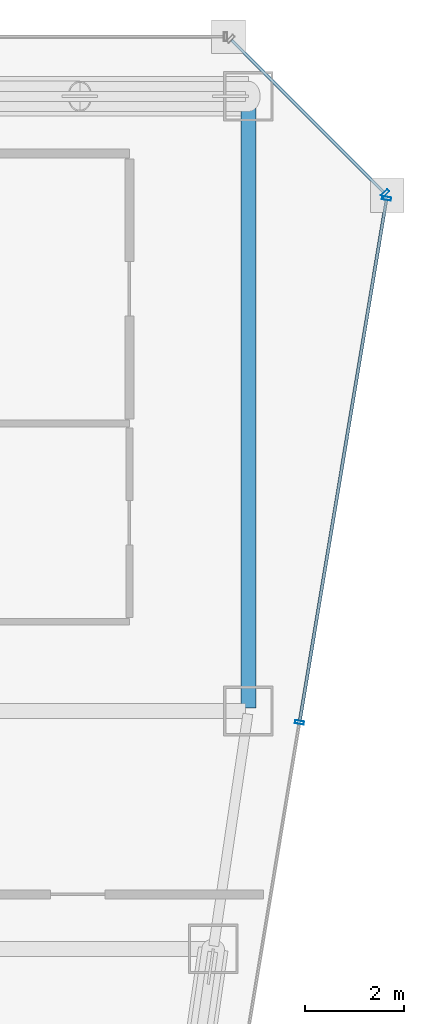
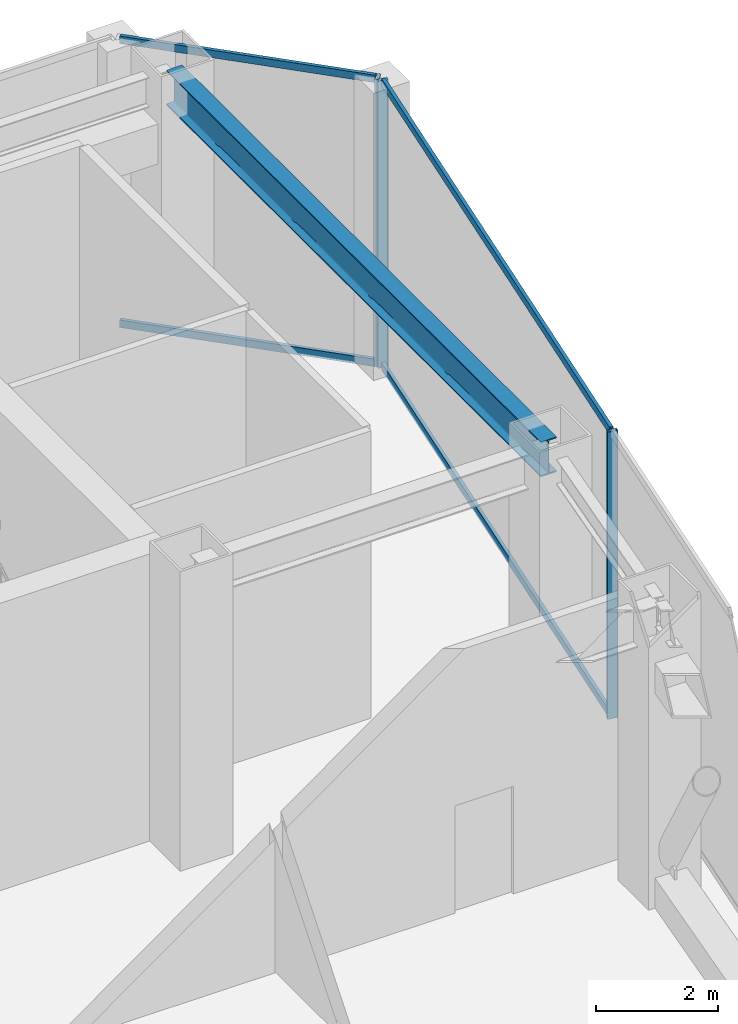
# One storey, part 22 of 30: 7 members, 1 beam, 2 elements without a shape of their own.
"""IFC4 building model written with IfcOpenShell, lengths in metres."""

from ifc_helpers import new_model, si_unit, direction, frame, origin, origin_2d, place, context, subcontext, project, spatial, hollow_rectangle, i_section, extrude, material, material_profile, profile_set, type_object, element, aggregate, save


model = new_model("IFC4")

# Units and contexts
model_context = context("Model", 3, precision=1e-05, world=origin(), true_north=direction((0.0, 1.0)))
body_context = subcontext(model_context, "Body", "Model", "MODEL_VIEW")
ifc_project = project(units=[si_unit("LENGTHUNIT", "METRE"), si_unit("AREAUNIT", "SQUARE_METRE"), si_unit("VOLUMEUNIT", "CUBIC_METRE"), si_unit("PLANEANGLEUNIT", "RADIAN"), si_unit("MASSUNIT", "GRAM", prefix="KILO")], contexts=[model_context])

# Site, building, storey
site_placement = place(None, origin())
site = spatial("IfcSite", under=ifc_project, at=site_placement, CompositionType="ELEMENT")
building_placement = place(site_placement, origin())
building = spatial("IfcBuilding", under=site, at=building_placement, Name="Saevonmaru Cultural Tower", CompositionType="ELEMENT")
storey_placement = place(building_placement, frame((0.0, 0.0, 123.60009765625)))
storey = spatial("IfcBuildingStorey", under=building, at=storey_placement, Name="L26", CompositionType="ELEMENT", Elevation=123.60009765625)

# Beam
ifc_material_1 = material(Name="Steel SM355", Category="steel")
ifc_material_profile_1 = material_profile(ifc_material_1, i_section(OverallWidth=0.300048828125, OverallDepth=0.699951171875, WebThickness=0.012939453125, FlangeThickness=0.02392578125, FilletRadius=0.02587890625, at=origin_2d()), Name="H-700x300x13x24")
ifc_profile_set_1 = profile_set([ifc_material_profile_1], Name="Steel SM355")
beam_type = type_object("IfcBeamType", Name="BM-G-H700", PredefinedType="BEAM", material=ifc_profile_set_1)
beam_placement = place(storey_placement, frame((53.199951171875, 54.739990234375, 5.39990234375), z_axis=(0.0, -1.0, 0.0), x_axis=(1.0, 0.0, 0.0)))
element("IfcBeam", 1, at=beam_placement, inside=storey, type_object=beam_type, Name="L26 Spine Transverse Girder E", PredefinedType="BEAM", context=body_context, shape_type="SweptSolid", body=[
    extrude(i_section(OverallWidth=0.300048828125, OverallDepth=0.699951171875, WebThickness=0.012939453125, FlangeThickness=0.02392578125, FilletRadius=0.02587890625, at=origin_2d()), origin(), (0.0, 0.0, 1.0), 12.280029296875),
])

# Curtain wall, members
ifc_material_2 = material(Name="Satin Bronze Anodised Aluminium", Category="aluminium")
curtain_wall_type = type_object("IfcCurtainWallType", Name="CW-TYP-A", PredefinedType="NOTDEFINED", material=ifc_material_2)
curtain_wall_1_placement = place(storey_placement, origin())
curtain_wall_1 = element("IfcCurtainWall", 2, at=curtain_wall_1_placement, inside=storey, type_object=curtain_wall_type, Name="L26 Wind-Floor Acoustic Louvre Screen E8", PredefinedType="NOTDEFINED")
ifc_material_profile_2 = material_profile(ifc_material_2, hollow_rectangle(XDim=0.06494140625, YDim=0.179931640625, WallThickness=0.00390625, at=origin_2d()), Name="ALU-MULL-180x65x4")
ifc_profile_set_2 = profile_set([ifc_material_profile_2], Name="Satin Bronze Anodised Aluminium")
member_type_1 = type_object("IfcMemberType", Name="ML-CW-180x65", PredefinedType="MULLION", material=ifc_profile_set_2)
member_1_placement = place(storey_placement, frame((54.23291015625, 42.17041015625, 0.0), z_axis=(0.0, 0.0, 1.0), x_axis=(0.163998702345, 0.986460554523, 0.0)))
member_1 = element("IfcMember", 3, at=member_1_placement, type_object=member_type_1, Name="CW-TW-L26-E8 mullion 4", PredefinedType="MULLION", context=body_context, shape_type="SweptSolid", body=[
    extrude(hollow_rectangle(XDim=0.06494140625, YDim=0.179931640625, WallThickness=0.00390625, at=origin_2d()), origin(), (0.0, 0.0, 1.0), 5.75),
])
member_2_placement = place(storey_placement, frame((55.990234375, 52.74072265625, 0.0), z_axis=(0.0, 0.0, 1.0), x_axis=(0.163998702345, 0.986460554523, 0.0)))
member_2 = element("IfcMember", 4, at=member_2_placement, type_object=member_type_1, Name="CW-TW-L26-E8 mullion 5", PredefinedType="MULLION", context=body_context, shape_type="SweptSolid", body=[
    extrude(hollow_rectangle(XDim=0.06494140625, YDim=0.179931640625, WallThickness=0.00390625, at=origin_2d()), origin(), (0.0, 0.0, 1.0), 5.75),
])

# Curtain wall, member
curtain_wall_2_placement = place(storey_placement, origin())
curtain_wall_2 = element("IfcCurtainWall", 5, at=curtain_wall_2_placement, inside=storey, type_object=curtain_wall_type, Name="L26 Wind-Floor Acoustic Louvre Screen E9", PredefinedType="NOTDEFINED")
member_3_placement = place(storey_placement, frame((55.95751953125, 52.84228515625, 0.0), z_axis=(0.0, 0.0, 1.0), x_axis=(-0.707106781187, 0.707106781187, 0.0)))
member_3 = element("IfcMember", 6, at=member_3_placement, type_object=member_type_1, Name="CW-TW-L26-E9 mullion 1", PredefinedType="MULLION", context=body_context, shape_type="SweptSolid", body=[
    extrude(hollow_rectangle(XDim=0.06494140625, YDim=0.179931640625, WallThickness=0.00390625, at=origin_2d()), origin(), (0.0, 0.0, 1.0), 5.75),
])

# Member
ifc_material_profile_3 = material_profile(ifc_material_2, hollow_rectangle(XDim=0.06494140625, YDim=0.14990234375, WallThickness=0.00390625, at=origin_2d()), Name="ALU-TRAN-150x65x4")
ifc_profile_set_3 = profile_set([ifc_material_profile_3], Name="Satin Bronze Anodised Aluminium")
member_type_2 = type_object("IfcMemberType", Name="TR-CW-150x65", PredefinedType="USERDEFINED", material=ifc_profile_set_3)
member_4_placement = place(storey_placement, frame((54.23828125, 42.202392578125, 0.032470703125), z_axis=(0.163990079074, 0.9864619881, 0.0), x_axis=(-0.9864619881, 0.163990079074, 0.0)))
member_4 = element("IfcMember", 7, at=member_4_placement, type_object=member_type_2, Name="CW-TW-L26-E8 transom 4.1", ObjectType="TRANSOM", PredefinedType="USERDEFINED", context=body_context, shape_type="SweptSolid", body=[
    extrude(hollow_rectangle(XDim=0.06494140625, YDim=0.14990234375, WallThickness=0.00390625, at=origin_2d()), origin(), (0.0, 0.0, 1.0), 10.650634765625),
])

member_5_placement = place(storey_placement, frame((54.23828125, 42.202392578125, 5.71728515625), z_axis=(0.163990079074, 0.9864619881, 0.0), x_axis=(-0.9864619881, 0.163990079074, 0.0)))
member_5 = element("IfcMember", 8, at=member_5_placement, type_object=member_type_2, Name="CW-TW-L26-E8 transom 4.2", ObjectType="TRANSOM", PredefinedType="USERDEFINED", context=body_context, shape_type="SweptSolid", body=[
    extrude(hollow_rectangle(XDim=0.06494140625, YDim=0.14990234375, WallThickness=0.00390625, at=origin_2d()), origin(), (0.0, 0.0, 1.0), 10.650634765625),
])

aggregate(curtain_wall_1, [member_1, member_2, member_4, member_5])

member_6_placement = place(storey_placement, frame((55.9345703125, 52.865478515625, 0.032470703125), z_axis=(-0.707106781187, 0.707106781187, 0.0), x_axis=(-0.707106781187, -0.707106781187, 0.0)))
member_6 = element("IfcMember", 9, at=member_6_placement, type_object=member_type_2, Name="CW-TW-L26-E9 transom 1.1", ObjectType="TRANSOM", PredefinedType="USERDEFINED", context=body_context, shape_type="SweptSolid", body=[
    extrude(hollow_rectangle(XDim=0.06494140625, YDim=0.14990234375, WallThickness=0.00390625, at=origin_2d()), origin(), (0.0, 0.0, 1.0), 4.34033203125),
])

member_7_placement = place(storey_placement, frame((55.9345703125, 52.865478515625, 5.71728515625), z_axis=(-0.707106781187, 0.707106781187, 0.0), x_axis=(-0.707106781187, -0.707106781187, 0.0)))
member_7 = element("IfcMember", 10, at=member_7_placement, type_object=member_type_2, Name="CW-TW-L26-E9 transom 1.2", ObjectType="TRANSOM", PredefinedType="USERDEFINED", context=body_context, shape_type="SweptSolid", body=[
    extrude(hollow_rectangle(XDim=0.06494140625, YDim=0.14990234375, WallThickness=0.00390625, at=origin_2d()), origin(), (0.0, 0.0, 1.0), 4.34033203125),
])

aggregate(curtain_wall_2, [member_3, member_6, member_7])

save(model, "model.ifc")
